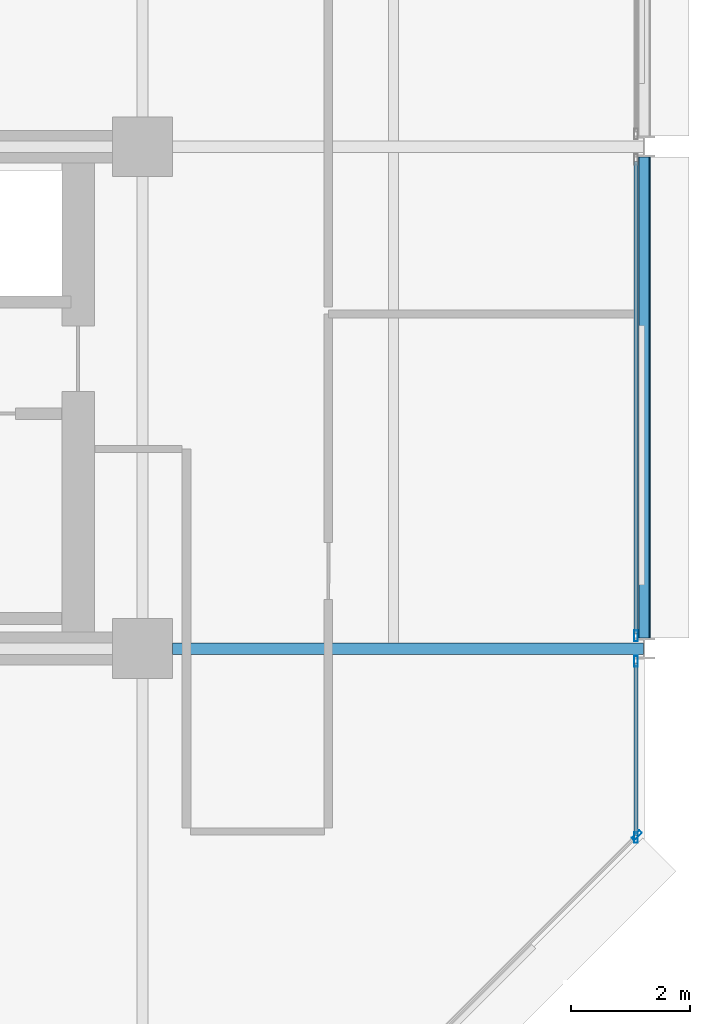
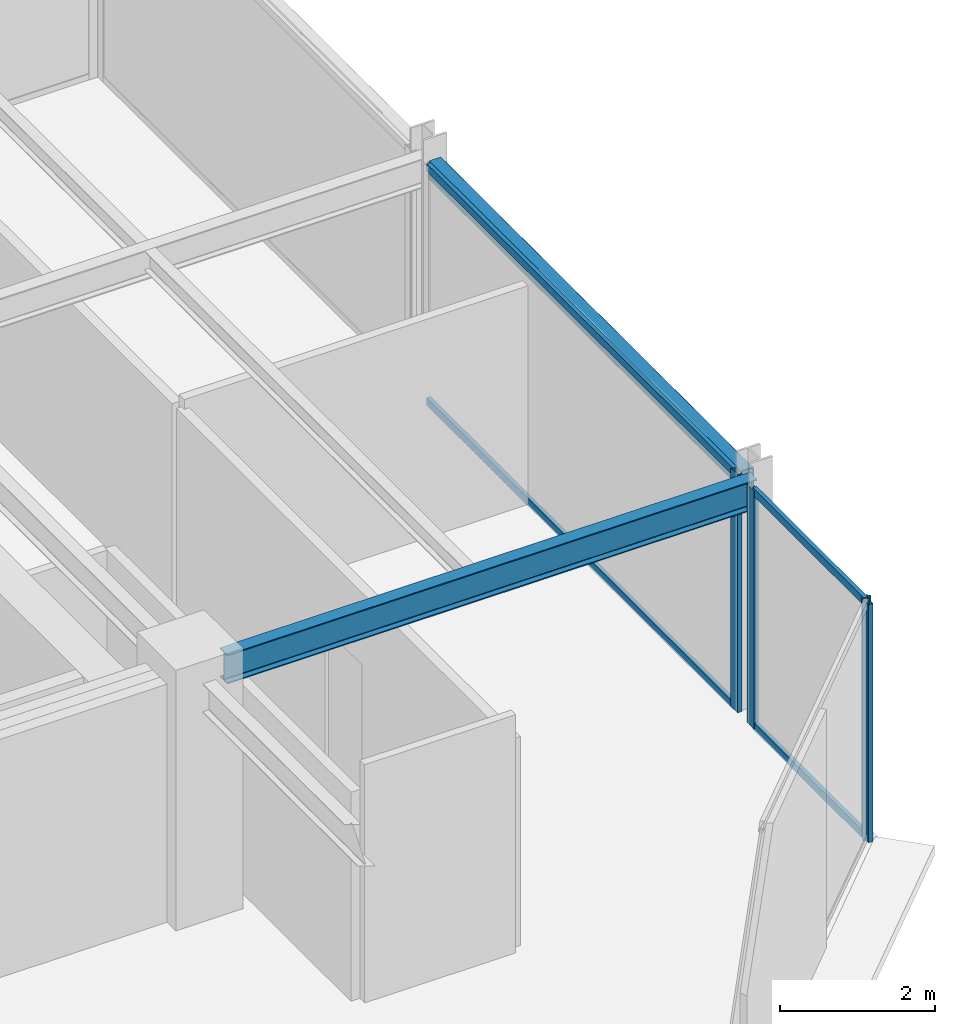
# One storey, part 13 of 30: 8 members, 2 beams, 3 elements without a shape of their own.
"""IFC4 building model written with IfcOpenShell, lengths in metres."""

import ifcopenshell
import ifcopenshell.guid

model = None  # the IFC model being written
_history = None  # IfcOwnerHistory: only IFC2X3 demands one
_inside = {}  # id of a spatial element -> (the spatial element, [elements in it])
_under = {}  # id of a project, library or spatial element -> (it, [spatial elements below it])
_declared = {}  # id of a project -> (the project, [libraries it declares])
_typed = {}  # id of a type object -> (the type object, [elements of that type])
_made_of = {}  # id of a material, layer set ... -> (it, [elements and type objects made of it])


def new_model(schema):
    """Start an empty IFC model of exactly this schema.

    Asked for "IFC4X3", IfcOpenShell would pick the latest addendum, in which some entities
    have other attributes; the version numbers below select the first issue.
    IFC2X3 requires an IfcOwnerHistory on every rooted entity: one is made here for all.
    """
    global model, _history
    if schema == "IFC4X3":
        model = ifcopenshell.file(schema_version=(4, 3, 0, 0))
    else:
        model = ifcopenshell.file(schema=schema)
    _inside.clear()
    _under.clear()
    _declared.clear()
    _typed.clear()
    _made_of.clear()
    _history = None
    if model.schema == "IFC2X3":
        org = make("IfcOrganization", Name="unknown")
        user = make(
            "IfcPersonAndOrganization",
            ThePerson=make("IfcPerson", FamilyName="unknown"),
            TheOrganization=org,
        )
        app = make(
            "IfcApplication",
            ApplicationDeveloper=org,
            Version="unknown",
            ApplicationFullName="unknown",
            ApplicationIdentifier="unknown",
        )
        _history = make(
            "IfcOwnerHistory",
            OwningUser=user,
            OwningApplication=app,
            ChangeAction="ADDED",
            CreationDate=0,
        )
    return model


def make(cls, **values):
    """One entity of the class cls with the attributes given. An attribute that is None is left unset."""
    return model.create_entity(
        cls, **{name: value for name, value in values.items() if value is not None}
    )


def rooted(cls, **values):
    """An entity with a GlobalId (a new one), such as an element, a storey or a relation."""
    return make(cls, GlobalId=ifcopenshell.guid.new(), OwnerHistory=_history, **values)


def si_unit(unit_type, name, prefix=None):
    """IfcSIUnit, for example si_unit("LENGTHUNIT", "METRE", prefix="MILLI")."""
    return make("IfcSIUnit", UnitType=unit_type, Prefix=prefix, Name=name)


def assignment(units):
    """IfcUnitAssignment: the units of a project."""
    return None if units is None else make("IfcUnitAssignment", Units=units)


def point(xyz):
    """IfcCartesianPoint."""
    return None if xyz is None else make("IfcCartesianPoint", Coordinates=xyz)


def direction(xyz):
    """IfcDirection."""
    return None if xyz is None else make("IfcDirection", DirectionRatios=xyz)


def frame(location, z_axis=None, x_axis=None):
    """IfcAxis2Placement3D, a coordinate frame: its origin and axes. An axis left out is left unset."""
    return make(
        "IfcAxis2Placement3D",
        Location=point(location),
        Axis=direction(z_axis),
        RefDirection=direction(x_axis),
    )


def frame_2d(location, x_axis=None):
    """IfcAxis2Placement2D, a coordinate frame in the plane: its origin and x axis."""
    return make(
        "IfcAxis2Placement2D", Location=point(location), RefDirection=direction(x_axis)
    )


def origin():
    """The frame at (0, 0, 0) with its axes left unset."""
    return frame((0.0, 0.0, 0.0))


def origin_2d():
    """The frame at (0, 0) in the plane with its x axis left unset."""
    return frame_2d((0.0, 0.0))


def place(relative_to, where):
    """IfcLocalPlacement: puts the frame where relative to a parent placement (None: the world)."""
    return make(
        "IfcLocalPlacement", PlacementRelTo=relative_to, RelativePlacement=where
    )


def context(
    kind, dimensions, precision=None, world=None, true_north=None, identifier=None
):
    """IfcGeometricRepresentationContext, for example the 3D "Model" context."""
    return make(
        "IfcGeometricRepresentationContext",
        ContextIdentifier=identifier,
        ContextType=kind,
        CoordinateSpaceDimension=dimensions,
        Precision=precision,
        WorldCoordinateSystem=world,
        TrueNorth=true_north,
    )


def subcontext(parent, identifier, kind, view, scale=None):
    """IfcGeometricRepresentationSubContext, for example "Body" below "Model"."""
    return make(
        "IfcGeometricRepresentationSubContext",
        ContextIdentifier=identifier,
        ContextType=kind,
        ParentContext=parent,
        TargetScale=scale,
        TargetView=view,
    )


def project(units=None, contexts=None):
    """IfcProject with its units and contexts."""
    return rooted(
        "IfcProject",
        Name="project",
        RepresentationContexts=contexts,
        UnitsInContext=assignment(units),
    )


def spatial(cls, under=None, at=None, **own):
    """A site, building, storey or space (cls), placed at a placement, below another one or the project."""
    s = rooted(cls, ObjectPlacement=at, **own)
    if under is not None:
        _under.setdefault(under.id(), (under, []))[1].append(s)
    return s


def profile(cls, at=None, kind="AREA", **sizes):
    """A parametric profile (cls). Its sizes go by their IFC names, for example OverallWidth=200.0."""
    return make(cls, ProfileType=kind, Position=at, **sizes)


def hollow_rectangle(**sizes):
    """IfcRectangleHollowProfileDef."""
    return profile("IfcRectangleHollowProfileDef", **sizes)


def i_section(**sizes):
    """IfcIShapeProfileDef."""
    return profile("IfcIShapeProfileDef", **sizes)


def extrude(swept, where, along, depth):
    """IfcExtrudedAreaSolid: the profile swept, set in the frame where, extruded along a direction by depth."""
    return make(
        "IfcExtrudedAreaSolid",
        SweptArea=swept,
        Position=where,
        ExtrudedDirection=direction(along),
        Depth=depth,
    )


def shape(context_of_items, identifier, shape_type, items):
    """IfcShapeRepresentation: the items that make up one representation, for example the "Body"."""
    return make(
        "IfcShapeRepresentation",
        ContextOfItems=context_of_items,
        RepresentationIdentifier=identifier,
        RepresentationType=shape_type,
        Items=items,
    )


def material(Name=None, Category=None):
    """IfcMaterial."""
    return make("IfcMaterial", Name=Name, Category=Category)


def layer(
    of_material, thickness, ventilated=None, Name=None, Category=None, Priority=None
):
    """IfcMaterialLayer: one layer of a wall or slab, of a material (None: an air gap)."""
    return make(
        "IfcMaterialLayer",
        Material=of_material,
        LayerThickness=thickness,
        IsVentilated=ventilated,
        Name=Name,
        Category=Category,
        Priority=Priority,
    )


def layer_set(layers, Name=None):
    """IfcMaterialLayerSet."""
    return make("IfcMaterialLayerSet", MaterialLayers=layers, LayerSetName=Name)


def material_profile(
    of_material, cross_section, Name=None, Category=None, Priority=None
):
    """IfcMaterialProfile: a cross section and its material."""
    return make(
        "IfcMaterialProfile",
        Name=Name,
        Material=of_material,
        Profile=cross_section,
        Priority=Priority,
        Category=Category,
    )


def profile_set(profiles, Name=None, composite=None):
    """IfcMaterialProfileSet."""
    return make(
        "IfcMaterialProfileSet",
        Name=Name,
        MaterialProfiles=profiles,
        CompositeProfile=composite,
    )


def made_of(thing, what):
    """Note that an element or type object is made of a material, layer set ...; save() writes the relation."""
    if what is not None:
        _made_of.setdefault(what.id(), (what, []))[1].append(thing)
    return thing


def type_object(cls, material=None, **own):
    """A type object (cls), such as IfcWallType, which elements share."""
    return made_of(rooted(cls, **own), material)


def element(
    cls,
    number,
    at=None,
    inside=None,
    cuts=None,
    type_object=None,
    material=None,
    context=None,
    identifier="Body",
    shape_type=None,
    held_by="IfcProductDefinitionShape",
    body=None,
    shapes=None,
    **own,
):
    """One element of the class cls, such as IfcWall. Its Tag is "e" and its number.

    at: its placement. inside: the storey or other place that contains it. cuts: it is an
    opening in that element (IfcRelVoidsElement). A single representation is given by context,
    identifier, shape_type and body (its items); several are given by shapes. held_by: the class
    of the entity that holds the representations. save() writes the other relations.
    """
    e = rooted(cls, Tag="e%d" % number, ObjectPlacement=at, **own)
    if body is not None:
        shapes = [shape(context, identifier, shape_type, body)]
    if shapes is not None:
        e.Representation = make(held_by, Representations=shapes)
    if inside is not None:
        _inside.setdefault(inside.id(), (inside, []))[1].append(e)
    if cuts is not None:
        rooted(
            "IfcRelVoidsElement", RelatingBuildingElement=cuts, RelatedOpeningElement=e
        )
    if type_object is not None:
        _typed.setdefault(type_object.id(), (type_object, []))[1].append(e)
    return made_of(e, material)


def aggregate(whole, parts):
    """IfcRelAggregates: a whole, such as a stair, and the parts it consists of."""
    return rooted("IfcRelAggregates", RelatingObject=whole, RelatedObjects=parts)


def save(model, path):
    """Write the relations noted so far, then the file.

    IfcRelAggregates (storeys below a building ...), IfcRelContainedInSpatialStructure (elements
    in a storey), IfcRelDefinesByType, IfcRelAssociatesMaterial and IfcRelDeclares: one each for
    every whole, place, type object, material and project.
    """
    for whole, parts in _under.values():
        aggregate(whole, parts)
    for where, things in _inside.values():
        rooted(
            "IfcRelContainedInSpatialStructure",
            RelatedElements=things,
            RelatingStructure=where,
        )
    for kind, things in _typed.values():
        rooted("IfcRelDefinesByType", RelatedObjects=things, RelatingType=kind)
    for what, things in _made_of.values():
        rooted("IfcRelAssociatesMaterial", RelatedObjects=things, RelatingMaterial=what)
    for by, libraries in _declared.values():
        rooted("IfcRelDeclares", RelatingContext=by, RelatedDefinitions=libraries)
    model.write(path)


model = new_model("IFC4")

# Units and contexts
model_context = context("Model", 3, precision=1e-05, world=origin(), true_north=direction((0.0, 1.0)))
body_context = subcontext(model_context, "Body", "Model", "MODEL_VIEW")
ifc_project = project(units=[si_unit("LENGTHUNIT", "METRE"), si_unit("AREAUNIT", "SQUARE_METRE"), si_unit("VOLUMEUNIT", "CUBIC_METRE"), si_unit("PLANEANGLEUNIT", "RADIAN"), si_unit("MASSUNIT", "GRAM", prefix="KILO")], contexts=[model_context])

# Site, building, storey
site_placement = place(None, origin())
site = spatial("IfcSite", under=ifc_project, at=site_placement, CompositionType="ELEMENT")
building_placement = place(site_placement, origin())
building = spatial("IfcBuilding", under=site, at=building_placement, Name="Nerrivon Quay Data Exchange", CompositionType="ELEMENT")
storey_placement = place(building_placement, frame((0.0, 0.0, 216.5)))
storey = spatial("IfcBuildingStorey", under=building, at=storey_placement, Name="L51", CompositionType="ELEMENT", Elevation=216.5)

# Beams
ifc_material_1 = material(Name="Steel Grade 350", Category="steel")
ifc_material_profile_1 = material_profile(ifc_material_1, i_section(OverallWidth=0.19091796875, OverallDepth=0.4599609375, WebThickness=0.010009765625, FlangeThickness=0.01611328125, FilletRadius=0.011474609375, at=origin_2d()), Name="460UB82.1")
ifc_profile_set_1 = profile_set([ifc_material_profile_1], Name="Steel Grade 350")
beam_type_1 = type_object("IfcBeamType", Name="BM-G5-460UB82", PredefinedType="BEAM", material=ifc_profile_set_1)
beam_1_placement = place(storey_placement, frame((34.10009765625, 8.39990234375, 3.52001953125), z_axis=(1.0, 0.0, 0.0), x_axis=(0.0, 1.0, 0.0)))
element("IfcBeam", 1, at=beam_1_placement, inside=storey, type_object=beam_type_1, Name="L51 EW Girder Y=8.4 (33.6..42.0)", PredefinedType="BEAM", context=body_context, shape_type="SweptSolid", body=[
    extrude(i_section(OverallWidth=0.19091796875, OverallDepth=0.4599609375, WebThickness=0.010009765625, FlangeThickness=0.01611328125, FilletRadius=0.011474609375, at=origin_2d()), origin(), (0.0, 0.0, 1.0), 7.889892578125),
])
ifc_material_2 = material(Name="Steel Grade C350L0 (350 MPa)", Category="steel")
ifc_material_profile_2 = material_profile(ifc_material_2, hollow_rectangle(XDim=0.199951171875, YDim=0.300048828125, WallThickness=0.012451171875, InnerFilletRadius=0.018798828125, OuterFilletRadius=0.03125, at=origin_2d()), Name="300x200x12.5RHS")
ifc_profile_set_2 = profile_set([ifc_material_profile_2], Name="Steel Grade C350L0 (350 MPa)")
beam_type_2 = type_object("IfcBeamType", Name="BM-SP3-300x200RHS", PredefinedType="SPANDREL", material=ifc_profile_set_2)
beam_2_placement = place(storey_placement, frame((42.0, 8.574951171875, 3.60009765625), z_axis=(0.0, 1.0, 0.0), x_axis=(-1.0, 0.0, 0.0)))
element("IfcBeam", 2, at=beam_2_placement, inside=storey, type_object=beam_type_2, Name="L51 NS Girder X=42.0 (8.4..16.8)", PredefinedType="SPANDREL", context=body_context, shape_type="SweptSolid", body=[
    extrude(hollow_rectangle(XDim=0.199951171875, YDim=0.300048828125, WallThickness=0.012451171875, InnerFilletRadius=0.018798828125, OuterFilletRadius=0.03125, at=origin_2d()), origin(), (0.0, 0.0, 1.0), 8.050048828125),
])

# Curtain wall, member
ifc_material_3 = material(Name="Anodised aluminium 6063-T6", Category="aluminium")
ifc_layer = layer(ifc_material_3, 0.195068359375)
ifc_layer_set = layer_set([ifc_layer], Name="Anodised aluminium 6063-T6")
curtain_wall_type = type_object("IfcCurtainWallType", Name="CW-SYS-06", PredefinedType="NOTDEFINED", material=ifc_layer_set)
curtain_wall_1_placement = place(storey_placement, origin())
curtain_wall_1 = element("IfcCurtainWall", 3, at=curtain_wall_1_placement, inside=storey, type_object=curtain_wall_type, Name="L51 Unitised Curtain Wall 19", PredefinedType="NOTDEFINED")
ifc_material_profile_3 = material_profile(ifc_material_3, hollow_rectangle(XDim=0.06494140625, YDim=0.179931640625, WallThickness=0.00341796875, at=origin_2d()), Name="ALU-MULL-180x65")
ifc_profile_set_3 = profile_set([ifc_material_profile_3], Name="Anodised aluminium 6063-T6")
member_type_1 = type_object("IfcMemberType", Name="CWM-180x65", PredefinedType="MULLION", material=ifc_profile_set_3)
member_1_placement = place(storey_placement, frame((41.860107421875, 8.612548828125, 0.0), z_axis=(0.0, 0.0, 1.0), x_axis=(1.0, 0.0, 0.0)))
member_1 = element("IfcMember", 4, at=member_1_placement, type_object=member_type_1, Name="CW06 mullion 2", PredefinedType="MULLION", context=body_context, shape_type="SweptSolid", body=[
    extrude(hollow_rectangle(XDim=0.06494140625, YDim=0.179931640625, WallThickness=0.00341796875, at=origin_2d()), origin(), (0.0, 0.0, 1.0), 3.75),
])

# Curtain wall, members
curtain_wall_2_placement = place(storey_placement, origin())
curtain_wall_2 = element("IfcCurtainWall", 5, at=curtain_wall_2_placement, inside=storey, type_object=curtain_wall_type, Name="L51 Unitised Curtain Wall 20", PredefinedType="NOTDEFINED")
member_2_placement = place(storey_placement, frame((41.860107421875, 8.1875, 0.0), z_axis=(0.0, 0.0, 1.0), x_axis=(1.0, 0.0, 0.0)))
member_2 = element("IfcMember", 6, at=member_2_placement, type_object=member_type_1, Name="CW06 mullion 1", PredefinedType="MULLION", context=body_context, shape_type="SweptSolid", body=[
    extrude(hollow_rectangle(XDim=0.06494140625, YDim=0.179931640625, WallThickness=0.00341796875, at=origin_2d()), origin(), (0.0, 0.0, 1.0), 3.75),
])
member_3_placement = place(storey_placement, frame((41.860107421875, 5.237548828125, 0.0), z_axis=(0.0, 0.0, 1.0), x_axis=(1.0, 0.0, 0.0)))
member_3 = element("IfcMember", 7, at=member_3_placement, type_object=member_type_1, Name="CW06 mullion 2", PredefinedType="MULLION", context=body_context, shape_type="SweptSolid", body=[
    extrude(hollow_rectangle(XDim=0.06494140625, YDim=0.179931640625, WallThickness=0.00341796875, at=origin_2d()), origin(), (0.0, 0.0, 1.0), 3.75),
])

# Curtain wall, member
curtain_wall_3_placement = place(storey_placement, origin())
curtain_wall_3 = element("IfcCurtainWall", 8, at=curtain_wall_3_placement, inside=storey, type_object=curtain_wall_type, Name="L51 Unitised Curtain Wall 21", PredefinedType="NOTDEFINED")
member_4_placement = place(storey_placement, frame((41.87451171875, 5.2724609375, 0.0), z_axis=(0.0, 0.0, 1.0), x_axis=(0.707106781187, -0.707106781187, 0.0)))
member_4 = element("IfcMember", 9, at=member_4_placement, type_object=member_type_1, Name="CW06 mullion 1", PredefinedType="MULLION", context=body_context, shape_type="SweptSolid", body=[
    extrude(hollow_rectangle(XDim=0.06494140625, YDim=0.179931640625, WallThickness=0.00341796875, at=origin_2d()), origin(), (0.0, 0.0, 1.0), 3.75),
])
aggregate(curtain_wall_3, [member_4])

# Member
ifc_material_profile_4 = material_profile(ifc_material_3, hollow_rectangle(XDim=0.06005859375, YDim=0.1201171875, WallThickness=0.003173828125, at=origin_2d()), Name="ALU-TRAN-120x60")
ifc_profile_set_4 = profile_set([ifc_material_profile_4], Name="Anodised aluminium 6063-T6")
member_type_2 = type_object("IfcMemberType", Name="CWT-120x60", PredefinedType="USERDEFINED", material=ifc_profile_set_4)
member_5_placement = place(storey_placement, frame((41.860107421875, 16.550048828125, 0.032470703125), z_axis=(0.0, -1.0, 0.0), x_axis=(1.0, 0.0, 0.0)))
member_5 = element("IfcMember", 10, at=member_5_placement, type_object=member_type_2, Name="CW06 transom 1.1", ObjectType="TRANSOM", PredefinedType="USERDEFINED", context=body_context, shape_type="SweptSolid", body=[
    extrude(hollow_rectangle(XDim=0.06005859375, YDim=0.1201171875, WallThickness=0.003173828125, at=origin_2d()), origin(), (0.0, 0.0, 1.0), 7.900146484375),
])

member_6_placement = place(storey_placement, frame((41.860107421875, 16.550048828125, 3.717529296875), z_axis=(0.0, -1.0, 0.0), x_axis=(1.0, 0.0, 0.0)))
member_6 = element("IfcMember", 11, at=member_6_placement, type_object=member_type_2, Name="CW06 transom 1.2", ObjectType="TRANSOM", PredefinedType="USERDEFINED", context=body_context, shape_type="SweptSolid", body=[
    extrude(hollow_rectangle(XDim=0.06005859375, YDim=0.1201171875, WallThickness=0.003173828125, at=origin_2d()), origin(), (0.0, 0.0, 1.0), 7.900146484375),
])

aggregate(curtain_wall_1, [member_1, member_5, member_6])

member_7_placement = place(storey_placement, frame((41.860107421875, 8.14990234375, 0.032470703125), z_axis=(0.0, -1.0, 0.0), x_axis=(1.0, 0.0, 0.0)))
member_7 = element("IfcMember", 12, at=member_7_placement, type_object=member_type_2, Name="CW06 transom 1.1", ObjectType="TRANSOM", PredefinedType="USERDEFINED", context=body_context, shape_type="SweptSolid", body=[
    extrude(hollow_rectangle(XDim=0.06005859375, YDim=0.1201171875, WallThickness=0.003173828125, at=origin_2d()), origin(), (0.0, 0.0, 1.0), 2.875),
])

member_8_placement = place(storey_placement, frame((41.860107421875, 8.14990234375, 3.717529296875), z_axis=(0.0, -1.0, 0.0), x_axis=(1.0, 0.0, 0.0)))
member_8 = element("IfcMember", 13, at=member_8_placement, type_object=member_type_2, Name="CW06 transom 1.2", ObjectType="TRANSOM", PredefinedType="USERDEFINED", context=body_context, shape_type="SweptSolid", body=[
    extrude(hollow_rectangle(XDim=0.06005859375, YDim=0.1201171875, WallThickness=0.003173828125, at=origin_2d()), origin(), (0.0, 0.0, 1.0), 2.875),
])

aggregate(curtain_wall_2, [member_2, member_3, member_7, member_8])

save(model, "model.ifc")
